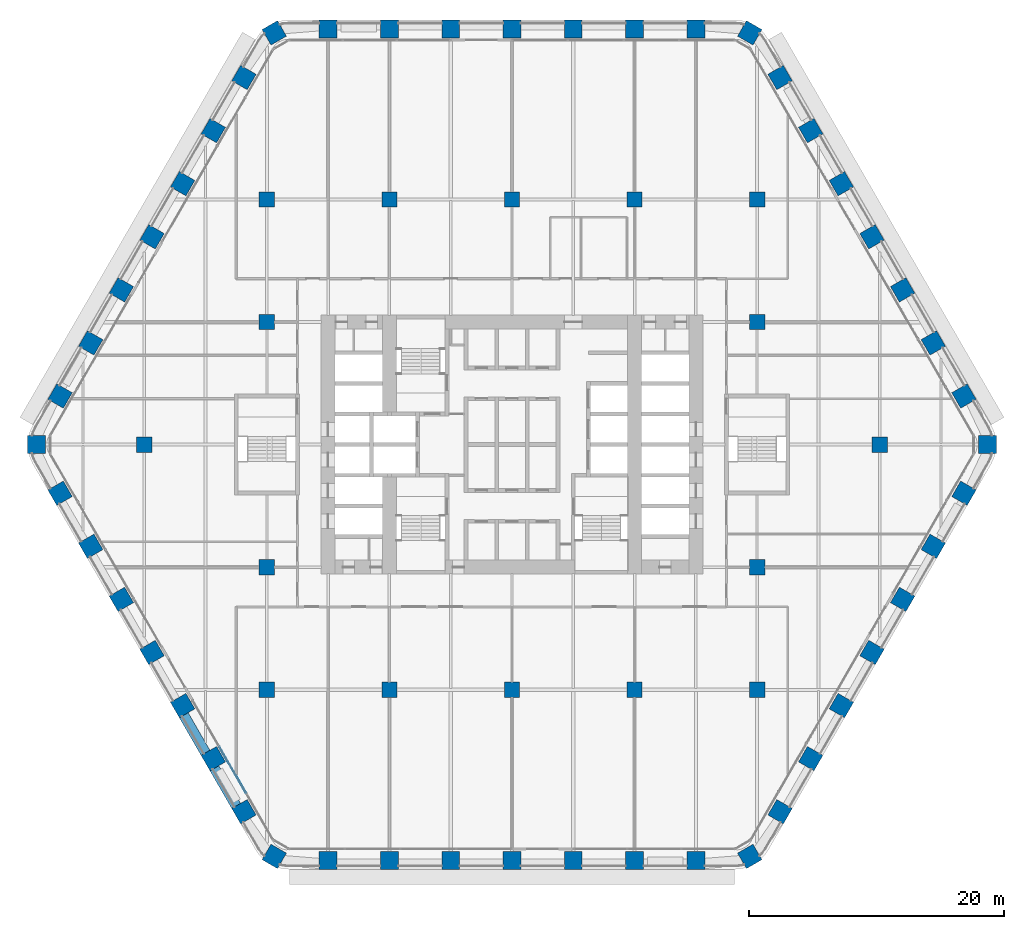
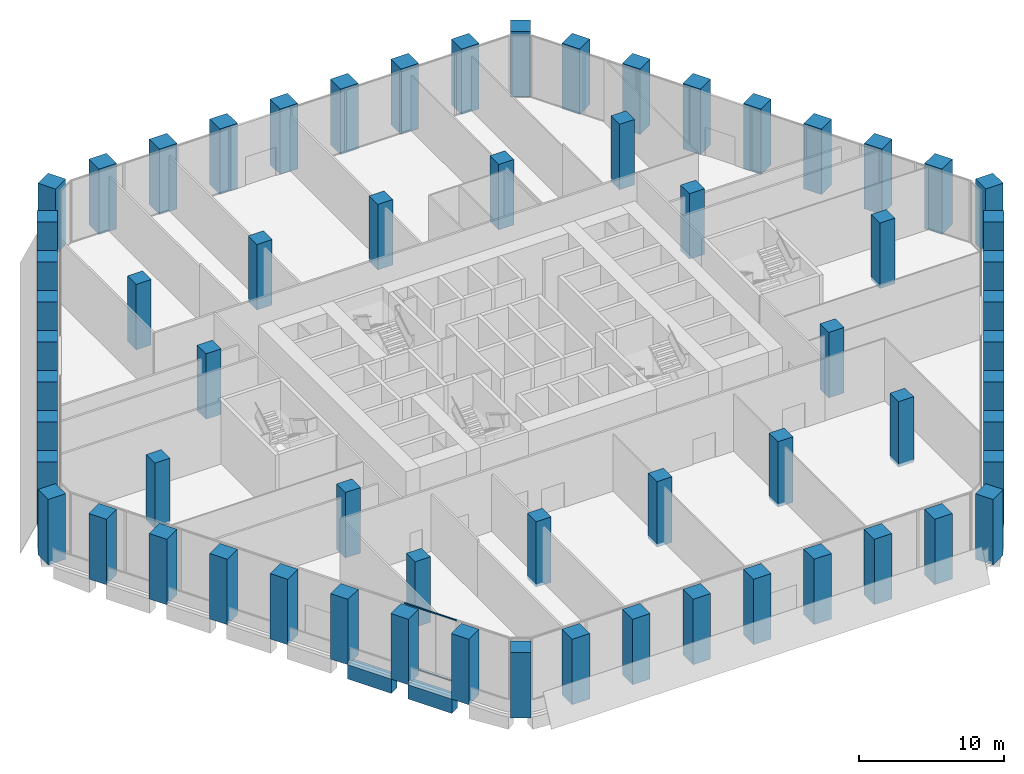
# One storey, part 1 of 27: 64 columns, 2 beams, 2 members, 1 element without a shape of its own.
"""IFC4 building model written with IfcOpenShell, lengths in metres."""

from ifc_helpers import new_model, si_unit, direction, frame, origin, origin_2d, place, context, subcontext, project, spatial, rectangle, extrude, material, material_profile, profile_set, type_object, element, aggregate, save


model = new_model("IFC4")

# Units and contexts
model_context = context("Model", 3, precision=1e-05, world=origin(), true_north=direction((0.0, 1.0)))
body_context = subcontext(model_context, "Body", "Model", "MODEL_VIEW")
ifc_project = project(units=[si_unit("LENGTHUNIT", "METRE"), si_unit("AREAUNIT", "SQUARE_METRE"), si_unit("VOLUMEUNIT", "CUBIC_METRE"), si_unit("PLANEANGLEUNIT", "RADIAN"), si_unit("MASSUNIT", "GRAM", prefix="KILO")], contexts=[model_context])

# Site, building, storey
site_placement = place(None, origin())
site = spatial("IfcSite", under=ifc_project, at=site_placement, CompositionType="ELEMENT")
building_placement = place(site_placement, origin())
building = spatial("IfcBuilding", under=site, at=building_placement, Name="Kolab Exchange Tower", CompositionType="ELEMENT")
storey_placement = place(building_placement, frame((0.0, 0.0, 27.89990234375)))
storey = spatial("IfcBuildingStorey", under=building, at=storey_placement, Name="L05", CompositionType="ELEMENT", Elevation=27.89990234375)

# Columns
ifc_material_1 = material(Name="Concrete C80/95", Category="concrete")
ifc_material_profile_1 = material_profile(ifc_material_1, rectangle(XDim=1.199951171875, YDim=1.199951171875, at=origin_2d()), Name="RC1200")
ifc_profile_set_1 = profile_set([ifc_material_profile_1], Name="Concrete C80/95")
column_type_1 = type_object("IfcColumnType", Name="INTERIOR COLUMN 1200 SQ C80/95", PredefinedType="COLUMN", material=ifc_profile_set_1)
for number, where, z_axis, x_axis, name in (
    (1, (-28.800048828125, 0.0, -0.25), (0.0, 0.0, 1.0), (1.0, 0.0, 0.0), "col/L05/I-G11"),
    (2, (-19.199951171875, -19.199951171875, -0.25), (0.0, 0.0, 1.0), (1.0, 0.0, 0.0), "col/L05/I-I7"),
    (3, (-19.199951171875, -9.60009765625, -0.25), (0.0, 0.0, 1.0), (1.0, 0.0, 0.0), "col/L05/I-I9"),
    (4, (-19.199951171875, 9.60009765625, -0.25), (0.0, 0.0, 1.0), (1.0, 0.0, 0.0), "col/L05/I-I13"),
    (5, (-19.199951171875, 19.199951171875, -0.25), (0.0, 0.0, 1.0), (1.0, 0.0, 0.0), "col/L05/I-I15"),
    (6, (-9.60009765625, -19.199951171875, -0.25), (0.0, 0.0, 1.0), (1.0, 0.0, 0.0), "col/L05/I-K7"),
    (7, (-9.60009765625, 19.199951171875, -0.25), (0.0, 0.0, 1.0), (1.0, 0.0, 0.0), "col/L05/I-K15"),
    (8, (0.0, -19.199951171875, -0.25), (0.0, 0.0, 1.0), (1.0, 0.0, 0.0), "col/L05/I-M7"),
    (9, (0.0, 19.199951171875, -0.25), (0.0, 0.0, 1.0), (1.0, 0.0, 0.0), "col/L05/I-M15"),
    (10, (9.60009765625, -19.199951171875, -0.25), (0.0, 0.0, 1.0), (1.0, 0.0, 0.0), "col/L05/I-O7"),
    (11, (9.60009765625, 19.199951171875, -0.25), (0.0, 0.0, 1.0), (1.0, 0.0, 0.0), "col/L05/I-O15"),
    (12, (19.199951171875, -19.199951171875, -0.25), (0.0, 0.0, 1.0), (1.0, 0.0, 0.0), "col/L05/I-Q7"),
    (13, (19.199951171875, -9.60009765625, -0.25), (0.0, 0.0, 1.0), (1.0, 0.0, 0.0), "col/L05/I-Q9"),
    (14, (19.199951171875, 9.60009765625, -0.25), (0.0, 0.0, 1.0), (1.0, 0.0, 0.0), "col/L05/I-Q13"),
    (15, (19.199951171875, 19.199951171875, -0.25), (0.0, 0.0, 1.0), (1.0, 0.0, 0.0), "col/L05/I-Q15"),
    (16, (28.800048828125, 0.0, -0.25), (0.0, 0.0, 1.0), (1.0, 0.0, 0.0), "col/L05/I-S11"),
):
    element("IfcColumn", number, at=place(storey_placement, frame(where, z_axis=z_axis, x_axis=x_axis)), inside=storey, type_object=column_type_1, Name=name, PredefinedType="COLUMN", context=body_context, shape_type="SweptSolid", body=[
        extrude(rectangle(XDim=1.199951171875, YDim=1.199951171875, at=origin_2d()), origin(), (0.0, 0.0, 1.0), 5.5),
    ])
ifc_material_profile_2 = material_profile(ifc_material_1, rectangle(XDim=1.39990234375, YDim=1.39990234375, at=origin_2d()), Name="RC1400")
ifc_profile_set_2 = profile_set([ifc_material_profile_2], Name="Concrete C80/95")
column_type_2 = type_object("IfcColumnType", Name="PERIMETER COLUMN 1400 SQ C80/95", PredefinedType="COLUMN", material=ifc_profile_set_2)
for number, where, z_axis, x_axis, name in (
    (17, (-18.617919921875, 32.247314453125, -0.25), (0.0, 0.0, 1.0), (0.866025403784, 0.5, 0.0), "col/L05/F1-01"),
    (18, (-14.39990234375, 32.555419921875, -0.25), (0.0, 0.0, 1.0), (1.0, 0.0, 0.0), "col/L05/F1-02"),
    (19, (-9.60009765625, 32.555419921875, -0.25), (0.0, 0.0, 1.0), (1.0, 0.0, 0.0), "col/L05/F1-03"),
    (20, (-4.800048828125, 32.555419921875, -0.25), (0.0, 0.0, 1.0), (1.0, 0.0, 0.0), "col/L05/F1-04"),
    (21, (0.0, 32.555419921875, -0.25), (0.0, 0.0, 1.0), (1.0, 0.0, 0.0), "col/L05/F1-05"),
    (22, (4.800048828125, 32.555419921875, -0.25), (0.0, 0.0, 1.0), (1.0, 0.0, 0.0), "col/L05/F1-06"),
    (23, (9.60009765625, 32.555419921875, -0.25), (0.0, 0.0, 1.0), (1.0, 0.0, 0.0), "col/L05/F1-07"),
    (24, (14.39990234375, 32.555419921875, -0.25), (0.0, 0.0, 1.0), (1.0, 0.0, 0.0), "col/L05/F1-08"),
    (25, (18.617919921875, 32.247314453125, -0.25), (0.0, 0.0, 1.0), (0.5, 0.866025403784, 0.0), "col/L05/F2-01"),
    (26, (20.993896484375, 28.74853515625, -0.25), (0.0, 0.0, 1.0), (0.866025403784, 0.5, 0.0), "col/L05/F2-02"),
    (27, (23.393798828125, 24.591552734375, -0.25), (0.0, 0.0, 1.0), (0.866025403784, 0.5, 0.0), "col/L05/F2-03"),
    (28, (25.793701171875, 20.4345703125, -0.25), (0.0, 0.0, 1.0), (0.866025403784, 0.5, 0.0), "col/L05/F2-04"),
    (29, (28.19384765625, 16.277587890625, -0.25), (0.0, 0.0, 1.0), (0.866025403784, 0.5, 0.0), "col/L05/F2-05"),
    (30, (30.59375, 12.120849609375, -0.25), (0.0, 0.0, 1.0), (0.866025403784, 0.5, 0.0), "col/L05/F2-06"),
    (31, (32.993896484375, 7.9638671875, -0.25), (0.0, 0.0, 1.0), (0.866025403784, 0.5, 0.0), "col/L05/F2-07"),
    (32, (35.393798828125, 3.806884765625, -0.25), (0.0, 0.0, 1.0), (0.866025403784, 0.5, 0.0), "col/L05/F2-08"),
    (33, (37.23583984375, 0.0, -0.25), (0.0, 0.0, 1.0), (1.0, 0.0, 0.0), "col/L05/F3-01"),
    (34, (35.393798828125, -3.806884765625, -0.25), (0.0, 0.0, 1.0), (0.5, 0.866025403784, 0.0), "col/L05/F3-02"),
    (35, (32.993896484375, -7.9638671875, -0.25), (0.0, 0.0, 1.0), (0.5, 0.866025403784, 0.0), "col/L05/F3-03"),
    (36, (30.59375, -12.120849609375, -0.25), (0.0, 0.0, 1.0), (0.5, 0.866025403784, 0.0), "col/L05/F3-04"),
    (37, (28.19384765625, -16.277587890625, -0.25), (0.0, 0.0, 1.0), (0.5, 0.866025403784, 0.0), "col/L05/F3-05"),
    (38, (25.793701171875, -20.4345703125, -0.25), (0.0, 0.0, 1.0), (0.5, 0.866025403784, 0.0), "col/L05/F3-06"),
    (39, (23.393798828125, -24.591552734375, -0.25), (0.0, 0.0, 1.0), (0.5, 0.866025403784, 0.0), "col/L05/F3-07"),
    (40, (20.993896484375, -28.74853515625, -0.25), (0.0, 0.0, 1.0), (0.5, 0.866025403784, 0.0), "col/L05/F3-08"),
    (41, (18.617919921875, -32.247314453125, -0.25), (0.0, 0.0, 1.0), (0.866025403784, 0.5, 0.0), "col/L05/F4-01"),
    (42, (14.39990234375, -32.555419921875, -0.25), (0.0, 0.0, 1.0), (1.0, 0.0, 0.0), "col/L05/F4-02"),
    (43, (9.60009765625, -32.555419921875, -0.25), (0.0, 0.0, 1.0), (1.0, 0.0, 0.0), "col/L05/F4-03"),
    (44, (4.800048828125, -32.555419921875, -0.25), (0.0, 0.0, 1.0), (1.0, 0.0, 0.0), "col/L05/F4-04"),
    (45, (0.0, -32.555419921875, -0.25), (0.0, 0.0, 1.0), (1.0, 0.0, 0.0), "col/L05/F4-05"),
    (46, (-4.800048828125, -32.555419921875, -0.25), (0.0, 0.0, 1.0), (1.0, 0.0, 0.0), "col/L05/F4-06"),
    (47, (-9.60009765625, -32.555419921875, -0.25), (0.0, 0.0, 1.0), (1.0, 0.0, 0.0), "col/L05/F4-07"),
    (48, (-14.39990234375, -32.555419921875, -0.25), (0.0, 0.0, 1.0), (1.0, 0.0, 0.0), "col/L05/F4-08"),
    (49, (-18.617919921875, -32.247314453125, -0.25), (0.0, 0.0, 1.0), (0.5, 0.866025403784, 0.0), "col/L05/F5-01"),
    (50, (-20.993896484375, -28.74853515625, -0.25), (0.0, 0.0, 1.0), (0.866025403784, 0.5, 0.0), "col/L05/F5-02"),
    (51, (-23.393798828125, -24.591552734375, -0.25), (0.0, 0.0, 1.0), (0.866025403784, 0.5, 0.0), "col/L05/F5-03"),
    (52, (-25.793701171875, -20.4345703125, -0.25), (0.0, 0.0, 1.0), (0.866025403784, 0.5, 0.0), "col/L05/F5-04"),
    (53, (-28.19384765625, -16.277587890625, -0.25), (0.0, 0.0, 1.0), (0.866025403784, 0.5, 0.0), "col/L05/F5-05"),
    (54, (-30.59375, -12.120849609375, -0.25), (0.0, 0.0, 1.0), (0.866025403784, 0.5, 0.0), "col/L05/F5-06"),
    (55, (-32.993896484375, -7.9638671875, -0.25), (0.0, 0.0, 1.0), (0.866025403784, 0.5, 0.0), "col/L05/F5-07"),
    (56, (-35.393798828125, -3.806884765625, -0.25), (0.0, 0.0, 1.0), (0.866025403784, 0.5, 0.0), "col/L05/F5-08"),
    (57, (-37.23583984375, 0.0, -0.25), (0.0, 0.0, 1.0), (1.0, 0.0, 0.0), "col/L05/F6-01"),
    (58, (-35.393798828125, 3.806884765625, -0.25), (0.0, 0.0, 1.0), (0.5, 0.866025403784, 0.0), "col/L05/F6-02"),
    (59, (-32.993896484375, 7.9638671875, -0.25), (0.0, 0.0, 1.0), (0.5, 0.866025403784, 0.0), "col/L05/F6-03"),
    (60, (-30.59375, 12.120849609375, -0.25), (0.0, 0.0, 1.0), (0.5, 0.866025403784, 0.0), "col/L05/F6-04"),
    (61, (-28.19384765625, 16.277587890625, -0.25), (0.0, 0.0, 1.0), (0.5, 0.866025403784, 0.0), "col/L05/F6-05"),
    (62, (-25.793701171875, 20.4345703125, -0.25), (0.0, 0.0, 1.0), (0.5, 0.866025403784, 0.0), "col/L05/F6-06"),
    (63, (-23.393798828125, 24.591552734375, -0.25), (0.0, 0.0, 1.0), (0.5, 0.866025403784, 0.0), "col/L05/F6-07"),
    (64, (-20.993896484375, 28.74853515625, -0.25), (0.0, 0.0, 1.0), (0.5, 0.866025403784, 0.0), "col/L05/F6-08"),
):
    element("IfcColumn", number, at=place(storey_placement, frame(where, z_axis=z_axis, x_axis=x_axis)), inside=storey, type_object=column_type_2, Name=name, PredefinedType="COLUMN", context=body_context, shape_type="SweptSolid", body=[
        extrude(rectangle(XDim=1.39990234375, YDim=1.39990234375, at=origin_2d()), origin(), (0.0, 0.0, 1.0), 5.5),
    ])

# Beams
ifc_material_profile_3 = material_profile(ifc_material_1, rectangle(XDim=0.800048828125, YDim=1.199951171875, at=origin_2d()), Name="RC800X1200")
ifc_profile_set_3 = profile_set([ifc_material_profile_3], Name="Concrete C80/95")
beam_type = type_object("IfcBeamType", Name="SPANDREL BEAM 800X1200 C80/95", PredefinedType="BEAM", material=ifc_profile_set_3)
beam_1_placement = place(storey_placement, frame((-21.58349609375, -28.326904296875, -0.849853515625), z_axis=(-0.499979528911, 0.866037222451, 0.0), x_axis=(-0.866037222451, -0.499979528911, 0.0)))
element("IfcBeam", 65, at=beam_1_placement, inside=storey, type_object=beam_type, Name="beam/L05/sp/F5-02", PredefinedType="BEAM", context=body_context, shape_type="SweptSolid", body=[
    extrude(rectangle(XDim=0.800048828125, YDim=1.199951171875, at=origin_2d()), origin(), (0.0, 0.0, 1.0), 3.480224609375),
])
beam_2_placement = place(storey_placement, frame((-23.983642578125, -24.169921875, -0.849853515625), z_axis=(-0.500009906705, 0.86601968407, 0.0), x_axis=(-0.86601968407, -0.500009906705, 0.0)))
element("IfcBeam", 66, at=beam_2_placement, inside=storey, type_object=beam_type, Name="beam/L05/sp/F5-03", PredefinedType="BEAM", context=body_context, shape_type="SweptSolid", body=[
    extrude(rectangle(XDim=0.800048828125, YDim=1.199951171875, at=origin_2d()), origin(), (0.0, 0.0, 1.0), 3.47998046875),
])

# Curtain wall, members
ifc_material_2 = material(Name="Aluminium EN AW-6063 T6", Category="aluminium")
curtain_wall_type = type_object("IfcCurtainWallType", Name="UNITISED LOW ZONE CURTAIN WALL", PredefinedType="NOTDEFINED", material=ifc_material_2)
curtain_wall_placement = place(storey_placement, origin())
curtain_wall = element("IfcCurtainWall", 67, at=curtain_wall_placement, inside=storey, type_object=curtain_wall_type, Name="cw/L05/F5-1", PredefinedType="NOTDEFINED")
ifc_material_profile_4 = material_profile(ifc_material_2, rectangle(XDim=0.06005859375, YDim=0.10009765625, at=origin_2d()), Name="RECT 60X100")
ifc_profile_set_4 = profile_set([ifc_material_profile_4], Name="Aluminium EN AW-6063 T6")
member_type = type_object("IfcMemberType", Name="UNITISED LOW ZONE TRANSOM 60 X 100", PredefinedType="USERDEFINED", material=ifc_profile_set_4)
member_1_placement = place(storey_placement, frame((-20.823974609375, -27.282470703125, 0.030029296875), z_axis=(-0.49999322259, 0.866029316688, 0.0), x_axis=(-0.866029316688, -0.49999322259, 0.0)))
member_1 = element("IfcMember", 68, at=member_1_placement, type_object=member_type, Name="CW1 transom 2.1", ObjectType="TRANSOM", PredefinedType="USERDEFINED", context=body_context, shape_type="SweptSolid", body=[
    extrude(rectangle(XDim=0.06005859375, YDim=0.10009765625, at=origin_2d()), origin(), (0.0, 0.0, 1.0), 4.16259765625),
])
member_2_placement = place(storey_placement, frame((-20.823974609375, -27.282470703125, 5.22021484375), z_axis=(-0.49999322259, 0.866029316688, 0.0), x_axis=(-0.866029316688, -0.49999322259, 0.0)))
member_2 = element("IfcMember", 69, at=member_2_placement, type_object=member_type, Name="CW1 transom 2.2", ObjectType="TRANSOM", PredefinedType="USERDEFINED", context=body_context, shape_type="SweptSolid", body=[
    extrude(rectangle(XDim=0.06005859375, YDim=0.10009765625, at=origin_2d()), origin(), (0.0, 0.0, 1.0), 4.16259765625),
])
aggregate(curtain_wall, [member_1, member_2])

save(model, "model.ifc")
